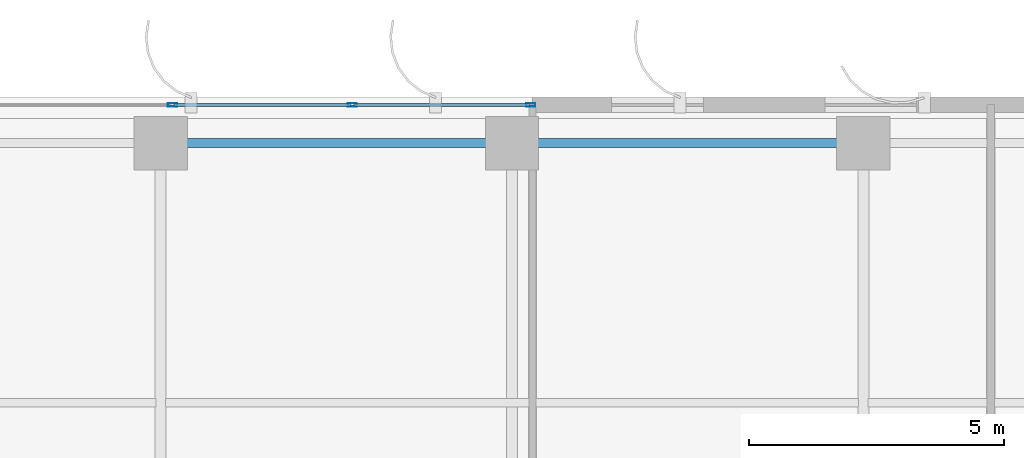
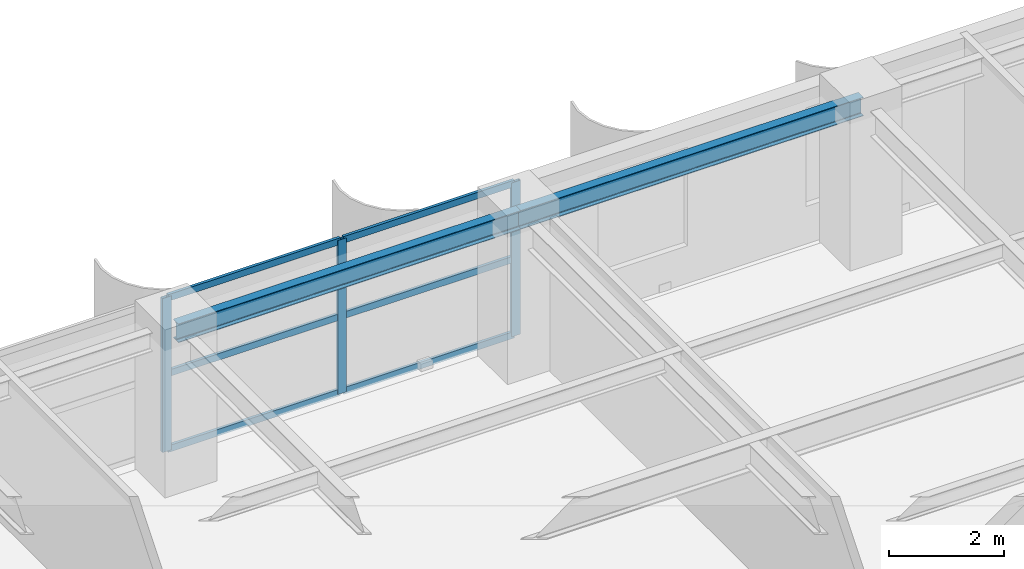
# One storey, part 18 of 28: 9 members, 2 beams, 1 element without a shape of its own.
"""IFC4 building model written with IfcOpenShell, lengths in metres."""

from ifc_helpers import new_model, si_unit, direction, frame, origin, origin_2d, place, context, subcontext, project, spatial, hollow_rectangle, i_section, extrude, source, transform, mapped, material, layer, layer_set, material_profile, profile_set, type_object, element, aggregate, save


model = new_model("IFC4")

# Units and contexts
model_context = context("Model", 3, precision=1e-05, world=origin(), true_north=direction((0.0, 1.0)))
body_context = subcontext(model_context, "Body", "Model", "MODEL_VIEW")
ifc_project = project(units=[si_unit("LENGTHUNIT", "METRE"), si_unit("AREAUNIT", "SQUARE_METRE"), si_unit("VOLUMEUNIT", "CUBIC_METRE"), si_unit("PLANEANGLEUNIT", "RADIAN"), si_unit("MASSUNIT", "GRAM", prefix="KILO")], contexts=[model_context])

# Site, building, storey
site_placement = place(None, origin())
site = spatial("IfcSite", under=ifc_project, at=site_placement, CompositionType="ELEMENT")
building_placement = place(site_placement, origin())
building = spatial("IfcBuilding", under=site, at=building_placement, Name="Khoralis Quay Care Tower", CompositionType="ELEMENT")
storey_placement = place(building_placement, frame((0.0, 0.0, 144.89990234375)))
storey = spatial("IfcBuildingStorey", under=building, at=storey_placement, Name="L38", CompositionType="ELEMENT", Elevation=144.89990234375)

# Beams
ifc_material_1 = material(Name="Steel S355", Category="steel")
ifc_material_profile_1 = material_profile(ifc_material_1, i_section(OverallWidth=0.179931640625, OverallDepth=0.39990234375, WebThickness=0.008544921875, FlangeThickness=0.013427734375, FilletRadius=0.02099609375, at=origin_2d()), Name="Steel S355")
ifc_profile_set_1 = profile_set([ifc_material_profile_1], Name="Steel S355")
beam_type = type_object("IfcBeamType", Name="BM-IPE400", PredefinedType="SPANDREL", material=ifc_profile_set_1)
shared_shape_1 = source(origin(), body_context, "Body", "SweptSolid", [
    extrude(i_section(OverallWidth=0.179931640625, OverallDepth=0.39990234375, WebThickness=0.008544921875, FlangeThickness=0.013427734375, FilletRadius=0.02099609375, at=origin_2d()), origin(), (0.0, 0.0, 1.0), 6.89990234375),
])
for number, where, z_axis, x_axis, name in (
    (1, (17.10009765625, 44.10009765625, 3.080078125), (1.0, 0.0, 0.0), (0.0, 1.0, 0.0), "BM-TSP-L38-08"),
    (2, (24.0, 44.10009765625, 3.080078125), (1.0, 0.0, 0.0), (0.0, 1.0, 0.0), "BM-TSP-L38-09"),
):
    element("IfcBeam", number, at=place(storey_placement, frame(where, z_axis=z_axis, x_axis=x_axis)), inside=storey, type_object=beam_type, Name=name, PredefinedType="SPANDREL", context=body_context, shape_type="MappedRepresentation", body=[
        mapped(shared_shape_1, transform((0.0, 0.0, 0.0), scale=1.0)),
    ])

# Curtain wall, members
ifc_material_2 = material(Name="Pale anodised aluminium", Category="aluminium")
ifc_layer = layer(ifc_material_2, 0.169921875)
ifc_layer_set = layer_set([ifc_layer], Name="Pale anodised aluminium")
curtain_wall_type = type_object("IfcCurtainWallType", Name="CW-SYS-Z2", PredefinedType="NOTDEFINED", material=ifc_layer_set)
curtain_wall_placement = place(storey_placement, origin())
curtain_wall = element("IfcCurtainWall", 3, at=curtain_wall_placement, inside=storey, type_object=curtain_wall_type, Name="L38 Unitised Curtain Wall CW-L38-P1-E10", PredefinedType="NOTDEFINED")
ifc_material_profile_2 = material_profile(ifc_material_2, hollow_rectangle(XDim=0.06494140625, YDim=0.179931640625, WallThickness=0.00390625, at=origin_2d()), Name="Pale anodised aluminium")
ifc_profile_set_2 = profile_set([ifc_material_profile_2], Name="Pale anodised aluminium")
member_type_1 = type_object("IfcMemberType", Name="CW-MUL-180", PredefinedType="MULLION", material=ifc_profile_set_2)
shared_shape_2 = source(origin(), body_context, "Body", "SweptSolid", [
    extrude(hollow_rectangle(XDim=0.06494140625, YDim=0.179931640625, WallThickness=0.00390625, at=origin_2d()), origin(), (0.0, 0.0, 1.0), 3.280029296875),
])
member_1_placement = place(storey_placement, frame((24.3701171875, 44.85009765625, 0.0), z_axis=(0.0, 0.0, 1.0), x_axis=(0.0, -1.0, 0.0)))
member_1 = element("IfcMember", 4, at=member_1_placement, type_object=member_type_1, Name="CW2 mullion 1", PredefinedType="MULLION", context=body_context, shape_type="MappedRepresentation", body=[
    mapped(shared_shape_2, transform((0.0, 0.0, 0.0), scale=1.0)),
])
member_2_placement = place(storey_placement, frame((20.86669921875, 44.85009765625, 0.0), z_axis=(0.0, 0.0, 1.0), x_axis=(0.0, -1.0, 0.0)))
member_2 = element("IfcMember", 5, at=member_2_placement, type_object=member_type_1, Name="CW2 mullion 2", PredefinedType="MULLION", context=body_context, shape_type="MappedRepresentation", body=[
    mapped(shared_shape_2, transform((0.0, 0.0, 0.0), scale=1.0)),
])
member_3_placement = place(storey_placement, frame((17.333251953125, 44.85009765625, 0.0), z_axis=(0.0, 0.0, 1.0), x_axis=(0.0, -1.0, 0.0)))
member_3 = element("IfcMember", 6, at=member_3_placement, type_object=member_type_1, Name="CW2 mullion 3", PredefinedType="MULLION", context=body_context, shape_type="MappedRepresentation", body=[
    mapped(shared_shape_2, transform((0.0, 0.0, 0.0), scale=1.0)),
])
ifc_material_profile_3 = material_profile(ifc_material_2, hollow_rectangle(XDim=0.06005859375, YDim=0.139892578125, WallThickness=0.00390625, at=origin_2d()), Name="Pale anodised aluminium")
ifc_profile_set_3 = profile_set([ifc_material_profile_3], Name="Pale anodised aluminium")
member_type_2 = type_object("IfcMemberType", Name="CW-TRN-140", PredefinedType="USERDEFINED", material=ifc_profile_set_3)
shared_shape_3 = source(origin(), body_context, "Body", "SweptSolid", [
    extrude(hollow_rectangle(XDim=0.06005859375, YDim=0.139892578125, WallThickness=0.00390625, at=origin_2d()), origin(), (0.0, 0.0, 1.0), 3.443359375),
])
member_4_placement = place(storey_placement, frame((24.340087890625, 44.85009765625, 0.030029296875), z_axis=(-1.0, 0.0, 0.0), x_axis=(0.0, -1.0, 0.0)))
member_4 = element("IfcMember", 7, at=member_4_placement, type_object=member_type_2, Name="CW2 transom 1.1", ObjectType="TRANSOM", PredefinedType="USERDEFINED", context=body_context, shape_type="MappedRepresentation", body=[
    mapped(shared_shape_3, transform((0.0, 0.0, 0.0), scale=1.0)),
])
member_5_placement = place(storey_placement, frame((24.340087890625, 44.85009765625, 1.64013671875), z_axis=(-1.0, 0.0, 0.0), x_axis=(0.0, -1.0, 0.0)))
member_5 = element("IfcMember", 8, at=member_5_placement, type_object=member_type_2, Name="CW2 transom 1.2", ObjectType="TRANSOM", PredefinedType="USERDEFINED", context=body_context, shape_type="MappedRepresentation", body=[
    mapped(shared_shape_3, transform((0.0, 0.0, 0.0), scale=1.0)),
])
member_6_placement = place(storey_placement, frame((24.340087890625, 44.85009765625, 3.25), z_axis=(-1.0, 0.0, 0.0), x_axis=(0.0, -1.0, 0.0)))
member_6 = element("IfcMember", 9, at=member_6_placement, type_object=member_type_2, Name="CW2 transom 1.3", ObjectType="TRANSOM", PredefinedType="USERDEFINED", context=body_context, shape_type="MappedRepresentation", body=[
    mapped(shared_shape_3, transform((0.0, 0.0, 0.0), scale=1.0)),
])
shared_shape_4 = source(origin(), body_context, "Body", "SweptSolid", [
    extrude(hollow_rectangle(XDim=0.06005859375, YDim=0.139892578125, WallThickness=0.00390625, at=origin_2d()), origin(), (0.0, 0.0, 1.0), 3.473388671875),
])
member_7_placement = place(storey_placement, frame((20.836669921875, 44.85009765625, 0.030029296875), z_axis=(-1.0, 0.0, 0.0), x_axis=(0.0, -1.0, 0.0)))
member_7 = element("IfcMember", 10, at=member_7_placement, type_object=member_type_2, Name="CW2 transom 2.1", ObjectType="TRANSOM", PredefinedType="USERDEFINED", context=body_context, shape_type="MappedRepresentation", body=[
    mapped(shared_shape_4, transform((0.0, 0.0, 0.0), scale=1.0)),
])
member_8_placement = place(storey_placement, frame((20.836669921875, 44.85009765625, 1.64013671875), z_axis=(-1.0, 0.0, 0.0), x_axis=(0.0, -1.0, 0.0)))
member_8 = element("IfcMember", 11, at=member_8_placement, type_object=member_type_2, Name="CW2 transom 2.2", ObjectType="TRANSOM", PredefinedType="USERDEFINED", context=body_context, shape_type="MappedRepresentation", body=[
    mapped(shared_shape_4, transform((0.0, 0.0, 0.0), scale=1.0)),
])
member_9_placement = place(storey_placement, frame((20.836669921875, 44.85009765625, 3.25), z_axis=(-1.0, 0.0, 0.0), x_axis=(0.0, -1.0, 0.0)))
member_9 = element("IfcMember", 12, at=member_9_placement, type_object=member_type_2, Name="CW2 transom 2.3", ObjectType="TRANSOM", PredefinedType="USERDEFINED", context=body_context, shape_type="MappedRepresentation", body=[
    mapped(shared_shape_4, transform((0.0, 0.0, 0.0), scale=1.0)),
])
aggregate(curtain_wall, [member_1, member_2, member_3, member_4, member_5, member_6, member_7, member_8, member_9])

save(model, "model.ifc")
